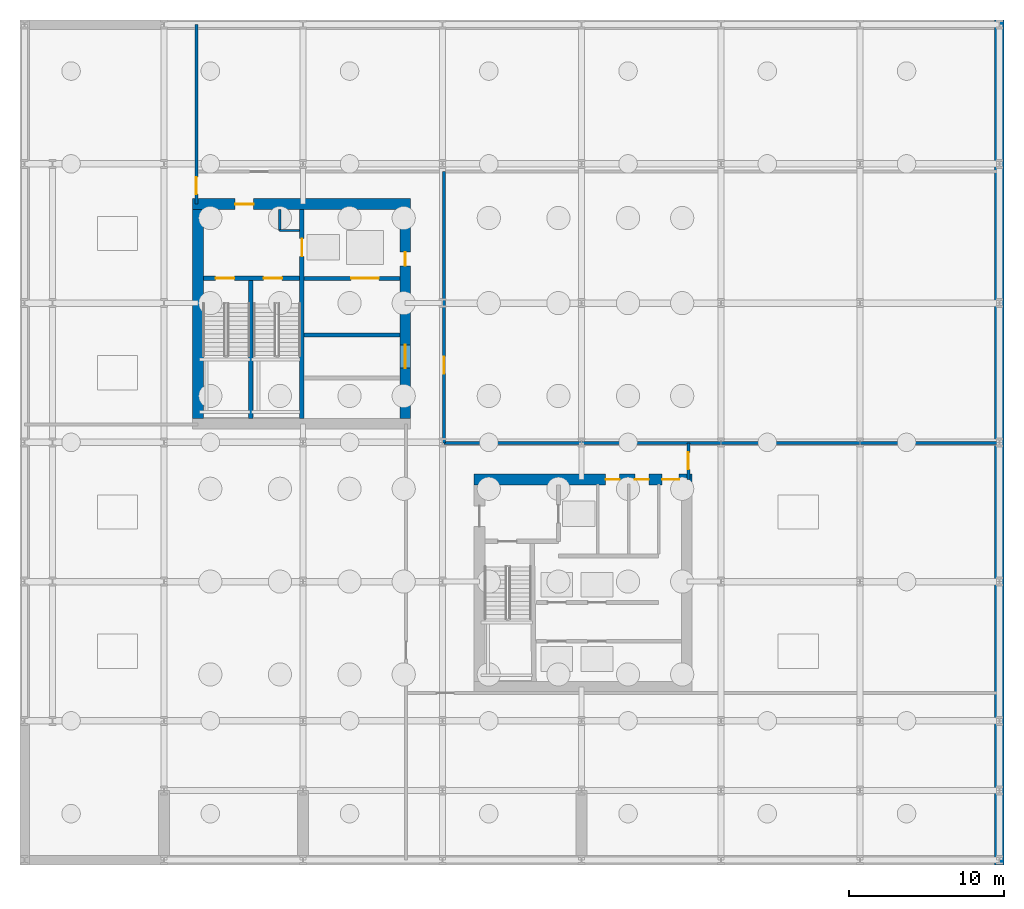
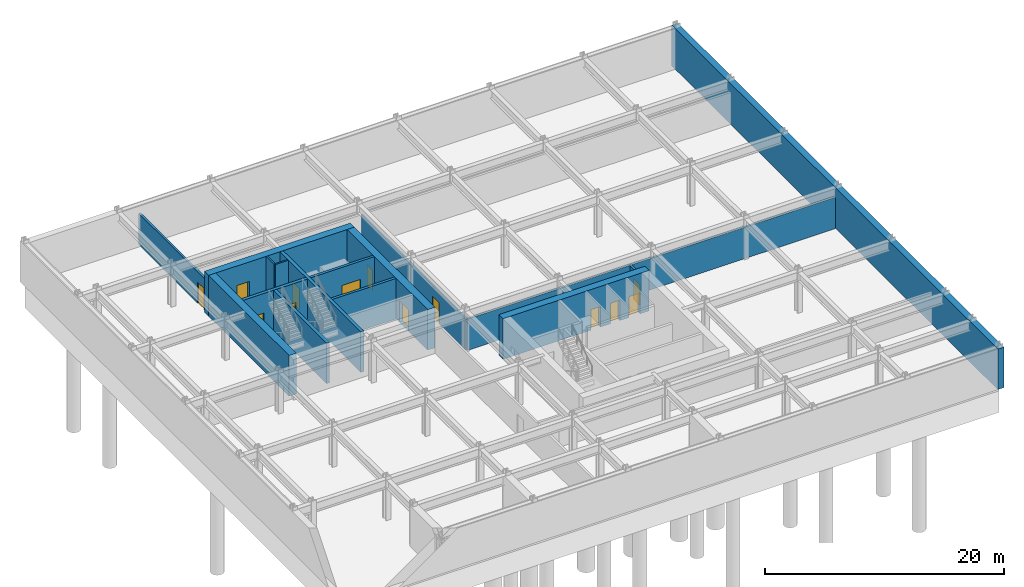
# One storey, part 4 of 7: 16 walls, 13 doors, 13 openings.
"""IFC4 building model written with IfcOpenShell, lengths in metres."""

from ifc_helpers import new_model, si_unit, direction, frame, frame_2d, origin, place, context, subcontext, project, spatial, rectangle, extrude, material, layer, layer_set, type_object, element, fill, save


model = new_model("IFC4")

# Units and contexts
model_context = context("Model", 3, precision=1e-05, world=origin(), true_north=direction((0.0, 1.0)))
body_context = subcontext(model_context, "Body", "Model", "MODEL_VIEW")
ifc_project = project(units=[si_unit("LENGTHUNIT", "METRE"), si_unit("AREAUNIT", "SQUARE_METRE"), si_unit("VOLUMEUNIT", "CUBIC_METRE"), si_unit("PLANEANGLEUNIT", "RADIAN"), si_unit("MASSUNIT", "GRAM", prefix="KILO")], contexts=[model_context])

# Site, building, storey
site_placement = place(None, origin())
site = spatial("IfcSite", under=ifc_project, at=site_placement, CompositionType="ELEMENT")
building_placement = place(site_placement, origin())
building = spatial("IfcBuilding", under=site, at=building_placement, Name="Solvaryn Broadcast Tower", CompositionType="ELEMENT")
storey_placement = place(building_placement, frame((0.0, 0.0, -9.0)))
storey = spatial("IfcBuildingStorey", under=building, at=storey_placement, Name="B02", CompositionType="ELEMENT", Elevation=-9.0)

# Wall, opening, door
ifc_material_1 = material(Name="Concrete f'c 70 MPa", Category="concrete")
ifc_layer_1 = layer(ifc_material_1, 0.699951171875)
ifc_layer_set_1 = layer_set([ifc_layer_1], Name="CW-SHEAR-700")
wall_type_1 = type_object("IfcWallType", Name="CW-SHEAR-700", PredefinedType="SHEAR", material=ifc_layer_set_1)
wall_1_placement = place(storey_placement, frame((24.949951171875, 42.39990234375, 0.0), z_axis=(0.0, 0.0, 1.0), x_axis=(-1.0, 0.0, 0.0)))
wall_1 = element("IfcWall", 1, at=wall_1_placement, inside=storey, type_object=wall_type_1, Name="B02 West Core North Shear Wall", PredefinedType="SHEAR", context=body_context, shape_type="SweptSolid", body=[
    extrude(rectangle(XDim=14.099853515625, YDim=0.699951171875, at=frame_2d((7.0498046875, 0.0))), origin(), (0.0, 0.0, 1.0), 4.14990234375),
])
opening_1_placement = place(wall_1_placement, frame((10.14990234375, 0.0, 0.0)))
opening_1 = element("IfcOpeningElement", 2, at=opening_1_placement, cuts=wall_1, Name="Opening FD90A", PredefinedType="OPENING", context=body_context, shape_type="SweptSolid", body=[
    extrude(rectangle(XDim=1.199951171875, YDim=2.14990234375, at=frame_2d((0.60009765625, 1.074951171875))), frame((0.0, 0.360107421875, 0.0), z_axis=(0.0, -1.0, 0.0), x_axis=(1.0, 0.0, 0.0)), (0.0, 0.0, 1.0), 0.719970703125),
])
ifc_material_2 = material(Name="Flush Acoustic Steel and Timber Door Assembly", Category="steel")
door_type_1 = type_object("IfcDoorType", Name="FD90-STAIR-1200X2150", OperationType="NOTDEFINED", PredefinedType="DOOR", material=ifc_material_2)
door_1_placement = place(opening_1_placement, origin())
door_1 = element("IfcDoor", 3, at=door_1_placement, inside=storey, type_object=door_type_1, Name="B02 West FSAE Lobby Corridor Door", OperationType="SINGLE_SWING_LEFT", OverallHeight=2.14990234375, OverallWidth=1.199951171875, PredefinedType="DOOR", context=body_context, shape_type="SweptSolid", body=[
    extrude(rectangle(XDim=1.199951171875, YDim=2.14990234375, at=frame_2d((0.60009765625, 1.074951171875))), frame((0.0, 0.02490234375, 0.0), z_axis=(0.0, -1.0, 0.0), x_axis=(1.0, 0.0, 0.0)), (0.0, 0.0, 1.0), 0.050048828125),
])
fill(opening_1, door_1)

# Wall
wall_2_placement = place(storey_placement, frame((11.199951171875, 42.050048828125, 0.0), z_axis=(0.0, 0.0, 1.0), x_axis=(0.0, -1.0, 0.0)))
element("IfcWall", 4, at=wall_2_placement, inside=storey, type_object=wall_type_1, Name="B02 West Core West Shear Wall", PredefinedType="SHEAR", context=body_context, shape_type="SweptSolid", body=[
    extrude(rectangle(XDim=13.5, YDim=0.699951171875, at=frame_2d((6.75, 0.0))), origin(), (0.0, 0.0, 1.0), 4.14990234375),
])

# Wall, openings, doors
wall_3_placement = place(storey_placement, frame((24.60009765625, 28.550048828125, 0.0), z_axis=(0.0, 0.0, 1.0), x_axis=(0.0, 1.0, 0.0)))
wall_3 = element("IfcWall", 5, at=wall_3_placement, inside=storey, type_object=wall_type_1, Name="B02 West Core East Shear Wall", PredefinedType="SHEAR", context=body_context, shape_type="SweptSolid", body=[
    extrude(rectangle(XDim=13.5, YDim=0.699951171875, at=frame_2d((6.75, 0.0))), origin(), (0.0, 0.0, 1.0), 4.14990234375),
])
opening_2_placement = place(wall_3_placement, frame((3.25, 0.0, 0.0)))
opening_2 = element("IfcOpeningElement", 6, at=opening_2_placement, cuts=wall_3, Name="Opening FD60A", PredefinedType="OPENING", context=body_context, shape_type="SweptSolid", body=[
    extrude(rectangle(XDim=1.5, YDim=2.199951171875, at=frame_2d((0.75, 1.10009765625))), frame((0.0, 0.360107421875, 0.0), z_axis=(0.0, -1.0, 0.0), x_axis=(1.0, 0.0, 0.0)), (0.0, 0.0, 1.0), 0.719970703125),
])
opening_3_placement = place(wall_3_placement, frame((9.85009765625, 0.0, 0.0)))
opening_3 = element("IfcOpeningElement", 7, at=opening_3_placement, cuts=wall_3, Name="Opening FD60C", PredefinedType="OPENING", context=body_context, shape_type="SweptSolid", body=[
    extrude(rectangle(XDim=0.89990234375, YDim=2.10009765625, at=frame_2d((0.449951171875, 1.050048828125))), frame((0.0, 0.360107421875, 0.0), z_axis=(0.0, -1.0, 0.0), x_axis=(1.0, 0.0, 0.0)), (0.0, 0.0, 1.0), 0.719970703125),
])
ifc_material_3 = material(Name="Flush Acoustic Steel and Timber Door Assembly", Category="steel")
door_type_2 = type_object("IfcDoorType", Name="FD60-CORR-1500X2200", OperationType="NOTDEFINED", PredefinedType="DOOR", material=ifc_material_3)
door_2_placement = place(opening_2_placement, origin())
door_2 = element("IfcDoor", 8, at=door_2_placement, inside=storey, type_object=door_type_2, Name="B02 West Elevator Lobby Corridor Door", OperationType="DOUBLE_DOOR_SINGLE_SWING", OverallHeight=2.199951171875, OverallWidth=1.5, PredefinedType="DOOR", context=body_context, shape_type="SweptSolid", body=[
    extrude(rectangle(XDim=1.5, YDim=2.199951171875, at=frame_2d((0.75, 1.10009765625))), frame((0.0, 0.02490234375, 0.0), z_axis=(0.0, -1.0, 0.0), x_axis=(1.0, 0.0, 0.0)), (0.0, 0.0, 1.0), 0.050048828125),
])
fill(opening_2, door_2)
ifc_material_4 = material(Name="Flush Acoustic Steel and Timber Door Assembly", Category="steel")
door_type_3 = type_object("IfcDoorType", Name="FD60-SERV-900X2100", OperationType="NOTDEFINED", PredefinedType="DOOR", material=ifc_material_4)
door_3_placement = place(opening_3_placement, origin())
door_3 = element("IfcDoor", 9, at=door_3_placement, inside=storey, type_object=door_type_3, Name="B02 West Core Service Door 1", OperationType="SINGLE_SWING_LEFT", OverallHeight=2.10009765625, OverallWidth=0.89990234375, PredefinedType="DOOR", context=body_context, shape_type="SweptSolid", body=[
    extrude(rectangle(XDim=0.89990234375, YDim=2.10009765625, at=frame_2d((0.449951171875, 1.050048828125))), frame((0.0, 0.02490234375, 0.0), z_axis=(0.0, -1.0, 0.0), x_axis=(1.0, 0.0, 0.0)), (0.0, 0.0, 1.0), 0.050048828125),
])
fill(opening_3, door_3)

wall_4_placement = place(storey_placement, frame((43.14990234375, 24.60009765625, 0.0), z_axis=(0.0, 0.0, 1.0), x_axis=(-1.0, 0.0, 0.0)))
wall_4 = element("IfcWall", 10, at=wall_4_placement, inside=storey, type_object=wall_type_1, Name="B02 East Core North Shear Wall", PredefinedType="SHEAR", context=body_context, shape_type="SweptSolid", body=[
    extrude(rectangle(XDim=14.099853515625, YDim=0.699951171875, at=frame_2d((7.0498046875, 0.0))), origin(), (0.0, 0.0, 1.0), 4.14990234375),
])
opening_4_placement = place(wall_4_placement, frame((0.85009765625, 0.0, 0.0)))
opening_4 = element("IfcOpeningElement", 11, at=opening_4_placement, cuts=wall_4, Name="Opening FD90C", PredefinedType="OPENING", context=body_context, shape_type="SweptSolid", body=[
    extrude(rectangle(XDim=1.10009765625, YDim=2.14990234375, at=frame_2d((0.550048828125, 1.074951171875))), frame((0.0, 0.360107421875, 0.0), z_axis=(0.0, -1.0, 0.0), x_axis=(1.0, 0.0, 0.0)), (0.0, 0.0, 1.0), 0.719970703125),
])
opening_5_placement = place(wall_4_placement, frame((2.800048828125, 0.0, 0.0)))
opening_5 = element("IfcOpeningElement", 12, at=opening_5_placement, cuts=wall_4, Name="Opening FD60C", PredefinedType="OPENING", context=body_context, shape_type="SweptSolid", body=[
    extrude(rectangle(XDim=0.89990234375, YDim=2.10009765625, at=frame_2d((0.449951171875, 1.050048828125))), frame((0.0, 0.360107421875, 0.0), z_axis=(0.0, -1.0, 0.0), x_axis=(1.0, 0.0, 0.0)), (0.0, 0.0, 1.0), 0.719970703125),
])
opening_6_placement = place(wall_4_placement, frame((4.699951171875, 0.0, 0.0)))
opening_6 = element("IfcOpeningElement", 13, at=opening_6_placement, cuts=wall_4, Name="Opening FD60C", PredefinedType="OPENING", context=body_context, shape_type="SweptSolid", body=[
    extrude(rectangle(XDim=0.89990234375, YDim=2.10009765625, at=frame_2d((0.449951171875, 1.050048828125))), frame((0.0, 0.360107421875, 0.0), z_axis=(0.0, -1.0, 0.0), x_axis=(1.0, 0.0, 0.0)), (0.0, 0.0, 1.0), 0.719970703125),
])
door_4_placement = place(opening_5_placement, origin())
door_4 = element("IfcDoor", 14, at=door_4_placement, inside=storey, type_object=door_type_3, Name="B02 Staff Restroom Door", OperationType="SINGLE_SWING_LEFT", OverallHeight=2.10009765625, OverallWidth=0.89990234375, PredefinedType="DOOR", context=body_context, shape_type="SweptSolid", body=[
    extrude(rectangle(XDim=0.89990234375, YDim=2.10009765625, at=frame_2d((0.449951171875, 1.050048828125))), frame((0.0, 0.02490234375, 0.0), z_axis=(0.0, -1.0, 0.0), x_axis=(1.0, 0.0, 0.0)), (0.0, 0.0, 1.0), 0.050048828125),
])
fill(opening_5, door_4)
door_5_placement = place(opening_6_placement, origin())
door_5 = element("IfcDoor", 15, at=door_5_placement, inside=storey, type_object=door_type_3, Name="B02 Accessible WC Door", OperationType="SINGLE_SWING_RIGHT", OverallHeight=2.10009765625, OverallWidth=0.89990234375, PredefinedType="DOOR", context=body_context, shape_type="SweptSolid", body=[
    extrude(rectangle(XDim=0.89990234375, YDim=2.10009765625, at=frame_2d((0.449951171875, 1.050048828125))), frame((0.0, 0.02490234375, 0.0), z_axis=(0.0, -1.0, 0.0), x_axis=(1.0, 0.0, 0.0)), (0.0, 0.0, 1.0), 0.050048828125),
])
fill(opening_6, door_5)
ifc_material_5 = material(Name="Flush Acoustic Steel and Timber Door Assembly", Category="steel")
door_type_4 = type_object("IfcDoorType", Name="FD90-PLANT-1100X2150", OperationType="NOTDEFINED", PredefinedType="DOOR", material=ifc_material_5)
door_6_placement = place(opening_4_placement, origin())
door_6 = element("IfcDoor", 16, at=door_6_placement, inside=storey, type_object=door_type_4, Name="B02 East Core Lobby Corridor Door", OperationType="SINGLE_SWING_LEFT", OverallHeight=2.14990234375, OverallWidth=1.10009765625, PredefinedType="DOOR", context=body_context, shape_type="SweptSolid", body=[
    extrude(rectangle(XDim=1.10009765625, YDim=2.14990234375, at=frame_2d((0.550048828125, 1.074951171875))), frame((0.0, 0.02490234375, 0.0), z_axis=(0.0, -1.0, 0.0), x_axis=(1.0, 0.0, 0.0)), (0.0, 0.0, 1.0), 0.050048828125),
])
fill(opening_4, door_6)

# Walls
ifc_material_6 = material(Name="Concrete f'c 60 MPa", Category="concrete")
ifc_layer_2 = layer(ifc_material_6, 0.60009765625)
ifc_layer_set_2 = layer_set([ifc_layer_2], Name="EW-BSMT-600")
wall_type_2 = type_object("IfcWallType", Name="EW-BSMT-600", PredefinedType="SOLIDWALL", material=ifc_layer_set_2)
wall_5_placement = place(storey_placement, frame((63.0, 54.300048828125, 0.0), z_axis=(0.0, 0.0, 1.0), x_axis=(0.0, -1.0, 0.0)))
element("IfcWall", 17, at=wall_5_placement, inside=storey, type_object=wall_type_2, Name="B02 Perimeter Retaining Wall E", PredefinedType="SOLIDWALL", context=body_context, shape_type="SweptSolid", body=[
    extrude(rectangle(XDim=54.60009765625, YDim=0.60009765625, at=frame_2d((27.300048828125, 0.0))), origin(), (0.0, 0.0, 1.0), 4.14990234375),
])
ifc_material_7 = material(Name="Metal-Stud Service Core Partition")
ifc_layer_3 = layer(ifc_material_7, 0.14990234375)
ifc_layer_set_3 = layer_set([ifc_layer_3], Name="IW-PART-150")
wall_type_3 = type_object("IfcWallType", Name="IW-PART-150", PredefinedType="PARTITIONING", material=ifc_layer_set_3)
wall_6_placement = place(storey_placement, frame((16.47998046875, 40.699951171875, 0.0), z_axis=(0.0, 0.0, 1.0), x_axis=(1.0, 0.0, 0.0)))
element("IfcWall", 18, at=wall_6_placement, inside=storey, type_object=wall_type_3, Name="B02 West Core Riser Shaft South Wall", PredefinedType="PARTITIONING", context=body_context, shape_type="SweptSolid", body=[
    extrude(rectangle(XDim=1.2900390625, YDim=0.14990234375, at=frame_2d((0.64501953125, 0.0))), origin(), (0.0, 0.0, 1.0), 4.14990234375),
])
wall_7_placement = place(storey_placement, frame((16.47998046875, 40.699951171875, 0.0), z_axis=(0.0, 0.0, 1.0), x_axis=(0.0, 1.0, 0.0)))
element("IfcWall", 19, at=wall_7_placement, inside=storey, type_object=wall_type_3, Name="B02 West Core Riser Shaft West Wall", PredefinedType="PARTITIONING", context=body_context, shape_type="SweptSolid", body=[
    extrude(rectangle(XDim=1.35009765625, YDim=0.14990234375, at=frame_2d((0.675048828125, 0.0))), origin(), (0.0, 0.0, 1.0), 4.14990234375),
])

# Wall, opening, door
ifc_material_8 = material(Name="Gypsum Fire-Rated Shaftwall Assembly", Category="concrete")
ifc_layer_4 = layer(ifc_material_8, 0.199951171875)
ifc_layer_set_4 = layer_set([ifc_layer_4], Name="IW-RATED-200")
wall_type_4 = type_object("IfcWallType", Name="IW-RATED-200", PredefinedType="PARTITIONING", material=ifc_layer_set_4)
wall_8_placement = place(storey_placement, frame((11.10009765625, 42.39990234375, 0.0), z_axis=(0.0, 0.0, 1.0), x_axis=(0.0, 1.0, 0.0)))
wall_8 = element("IfcWall", 20, at=wall_8_placement, inside=storey, type_object=wall_type_4, Name="B02 Interior Partition IW-B02-BW3", PredefinedType="PARTITIONING", context=body_context, shape_type="SweptSolid", body=[
    extrude(rectangle(XDim=11.60009765625, YDim=0.199951171875, at=frame_2d((5.800048828125, 0.0))), origin(), (0.0, 0.0, 1.0), 3.202880859375),
])
opening_7_placement = place(wall_8_placement, frame((0.64990234375, 0.0, 0.0)))
opening_7 = element("IfcOpeningElement", 21, at=opening_7_placement, cuts=wall_8, Name="Opening FD90C", PredefinedType="OPENING", context=body_context, shape_type="SweptSolid", body=[
    extrude(rectangle(XDim=1.10009765625, YDim=2.14990234375, at=frame_2d((0.550048828125, 1.074951171875))), frame((0.0, 0.110107421875, 0.0), z_axis=(0.0, -1.0, 0.0), x_axis=(1.0, 0.0, 0.0)), (0.0, 0.0, 1.0), 0.219970703125),
])
door_7_placement = place(opening_7_placement, origin())
door_7 = element("IfcDoor", 22, at=door_7_placement, inside=storey, type_object=door_type_4, Name="B02 Door DR-B02-BD4", OperationType="SINGLE_SWING_LEFT", OverallHeight=2.14990234375, OverallWidth=1.10009765625, PredefinedType="DOOR", context=body_context, shape_type="SweptSolid", body=[
    extrude(rectangle(XDim=1.10009765625, YDim=2.14990234375, at=frame_2d((0.550048828125, 1.074951171875))), frame((0.0, 0.02490234375, 0.0), z_axis=(0.0, -1.0, 0.0), x_axis=(1.0, 0.0, 0.0)), (0.0, 0.0, 1.0), 0.050048828125),
])
fill(opening_7, door_7)

wall_9_placement = place(storey_placement, frame((27.10009765625, 26.949951171875, 0.0), z_axis=(0.0, 0.0, 1.0), x_axis=(0.0, 1.0, 0.0)))
wall_9 = element("IfcWall", 23, at=wall_9_placement, inside=storey, type_object=wall_type_4, Name="B02 Interior Partition IW-B02-BW5", PredefinedType="PARTITIONING", context=body_context, shape_type="SweptSolid", body=[
    extrude(rectangle(XDim=17.550048828125, YDim=0.199951171875, at=frame_2d((8.77490234375, 0.0))), origin(), (0.0, 0.0, 1.0), 3.202880859375),
])
opening_8_placement = place(wall_9_placement, frame((4.5, 0.0, 0.0)))
opening_8 = element("IfcOpeningElement", 24, at=opening_8_placement, cuts=wall_9, Name="Opening FD90C", PredefinedType="OPENING", context=body_context, shape_type="SweptSolid", body=[
    extrude(rectangle(XDim=1.10009765625, YDim=2.14990234375, at=frame_2d((0.550048828125, 1.074951171875))), frame((0.0, 0.110107421875, 0.0), z_axis=(0.0, -1.0, 0.0), x_axis=(1.0, 0.0, 0.0)), (0.0, 0.0, 1.0), 0.219970703125),
])
door_8_placement = place(opening_8_placement, origin())
door_8 = element("IfcDoor", 25, at=door_8_placement, inside=storey, type_object=door_type_4, Name="B02 Door DR-B02-BD6", OperationType="SINGLE_SWING_LEFT", OverallHeight=2.14990234375, OverallWidth=1.10009765625, PredefinedType="DOOR", context=body_context, shape_type="SweptSolid", body=[
    extrude(rectangle(XDim=1.10009765625, YDim=2.14990234375, at=frame_2d((0.550048828125, 1.074951171875))), frame((0.0, 0.02490234375, 0.0), z_axis=(0.0, -1.0, 0.0), x_axis=(1.0, 0.0, 0.0)), (0.0, 0.0, 1.0), 0.050048828125),
])
fill(opening_8, door_8)

# Wall
wall_10_placement = place(storey_placement, frame((27.10009765625, 26.949951171875, 0.0), z_axis=(0.0, 0.0, 1.0), x_axis=(1.0, 0.0, 0.0)))
element("IfcWall", 26, at=wall_10_placement, inside=storey, type_object=wall_type_4, Name="B02 Interior Partition IW-B02-BW6", PredefinedType="PARTITIONING", context=body_context, shape_type="SweptSolid", body=[
    extrude(rectangle(XDim=35.89990234375, YDim=0.199951171875, at=frame_2d((17.949951171875, 0.0))), origin(), (0.0, 0.0, 1.0), 3.202880859375),
])

# Wall, opening, door
wall_11_placement = place(storey_placement, frame((42.89990234375, 24.60009765625, 0.0), z_axis=(0.0, 0.0, 1.0), x_axis=(0.0, 1.0, 0.0)))
wall_11 = element("IfcWall", 27, at=wall_11_placement, inside=storey, type_object=wall_type_4, Name="B02 Interior Partition IW-B02-BW7", PredefinedType="PARTITIONING", context=body_context, shape_type="SweptSolid", body=[
    extrude(rectangle(XDim=2.349853515625, YDim=0.199951171875, at=frame_2d((1.1748046875, 0.0))), origin(), (0.0, 0.0, 1.0), 3.202880859375),
])
opening_9_placement = place(wall_11_placement, frame((0.64990234375, 0.0, 0.0)))
opening_9 = element("IfcOpeningElement", 28, at=opening_9_placement, cuts=wall_11, Name="Opening FD90C", PredefinedType="OPENING", context=body_context, shape_type="SweptSolid", body=[
    extrude(rectangle(XDim=1.10009765625, YDim=2.14990234375, at=frame_2d((0.550048828125, 1.074951171875))), frame((0.0, 0.110107421875, 0.0), z_axis=(0.0, -1.0, 0.0), x_axis=(1.0, 0.0, 0.0)), (0.0, 0.0, 1.0), 0.219970703125),
])
door_9_placement = place(opening_9_placement, origin())
door_9 = element("IfcDoor", 29, at=door_9_placement, inside=storey, type_object=door_type_4, Name="B02 Door DR-B02-BD3", OperationType="SINGLE_SWING_RIGHT", OverallHeight=2.14990234375, OverallWidth=1.10009765625, PredefinedType="DOOR", context=body_context, shape_type="SweptSolid", body=[
    extrude(rectangle(XDim=1.10009765625, YDim=2.14990234375, at=frame_2d((0.550048828125, 1.074951171875))), frame((0.0, 0.02490234375, 0.0), z_axis=(0.0, -1.0, 0.0), x_axis=(1.0, 0.0, 0.0)), (0.0, 0.0, 1.0), 0.050048828125),
])
fill(opening_9, door_9)

ifc_material_9 = material(Name="Concrete f'c 60 MPa", Category="concrete")
ifc_layer_5 = layer(ifc_material_9, 0.25)
ifc_layer_set_5 = layer_set([ifc_layer_5], Name="SW-SHAFT-250")
wall_type_5 = type_object("IfcWallType", Name="SW-SHAFT-250", PredefinedType="PARTITIONING", material=ifc_layer_set_5)
wall_12_placement = place(storey_placement, frame((18.070068359375, 37.60009765625, 0.0), z_axis=(0.0, 0.0, 1.0), x_axis=(1.0, 0.0, 0.0)))
wall_12 = element("IfcWall", 30, at=wall_12_placement, inside=storey, type_object=wall_type_5, Name="B02 West Core FSAE Hoistway Front Wall", PredefinedType="PARTITIONING", context=body_context, shape_type="SweptSolid", body=[
    extrude(rectangle(XDim=6.179931640625, YDim=0.25, at=frame_2d((3.08984375, 0.0))), origin(), (0.0, 0.0, 1.0), 4.14990234375),
])
opening_10_placement = place(wall_12_placement, frame((3.030029296875, 0.0, 0.0)))
opening_10 = element("IfcOpeningElement", 31, at=opening_10_placement, cuts=wall_12, Name="Opening LD02", PredefinedType="OPENING", context=body_context, shape_type="SweptSolid", body=[
    extrude(rectangle(XDim=1.800048828125, YDim=2.300048828125, at=frame_2d((0.89990234375, 1.14990234375))), frame((0.0, 0.135009765625, 0.0), z_axis=(0.0, -1.0, 0.0), x_axis=(1.0, 0.0, 0.0)), (0.0, 0.0, 1.0), 0.27001953125),
])
ifc_material_10 = material(Name="Flush Acoustic Steel and Timber Door Assembly", Category="steel")
door_type_5 = type_object("IfcDoorType", Name="LD-FREIGHT-1800X2300", OperationType="NOTDEFINED", PredefinedType="DOOR", material=ifc_material_10)
door_10_placement = place(opening_10_placement, origin())
door_10 = element("IfcDoor", 32, at=door_10_placement, inside=storey, type_object=door_type_5, Name="B02 SV1 Freight Lift Landing Door", OperationType="DOUBLE_DOOR_SLIDING", OverallHeight=2.300048828125, OverallWidth=1.800048828125, PredefinedType="DOOR", context=body_context, shape_type="SweptSolid", body=[
    extrude(rectangle(XDim=1.800048828125, YDim=2.300048828125, at=frame_2d((0.89990234375, 1.14990234375))), frame((0.0, 0.02490234375, 0.0), z_axis=(0.0, -1.0, 0.0), x_axis=(1.0, 0.0, 0.0)), (0.0, 0.0, 1.0), 0.050048828125),
])
fill(opening_10, door_10)

# Walls
wall_13_placement = place(storey_placement, frame((24.25, 33.949951171875, 0.0), z_axis=(0.0, 0.0, 1.0), x_axis=(-1.0, 0.0, 0.0)))
element("IfcWall", 33, at=wall_13_placement, inside=storey, type_object=wall_type_5, Name="B02 High-Rise Lift Bank North Wall", PredefinedType="PARTITIONING", context=body_context, shape_type="SweptSolid", body=[
    extrude(rectangle(XDim=6.179931640625, YDim=0.25, at=frame_2d((3.08984375, 0.0))), origin(), (0.0, 0.0, 1.0), 4.14990234375),
])
ifc_material_11 = material(Name="Concrete f'c 70 MPa", Category="concrete")
ifc_layer_6 = layer(ifc_material_11, 0.300048828125)
ifc_layer_set_6 = layer_set([ifc_layer_6], Name="SW-SHAFT-300")
wall_type_6 = type_object("IfcWallType", Name="SW-SHAFT-300", PredefinedType="SHEAR", material=ifc_layer_set_6)
wall_14_placement = place(storey_placement, frame((14.6201171875, 28.550048828125, 0.0), z_axis=(0.0, 0.0, 1.0), x_axis=(0.0, 1.0, 0.0)))
element("IfcWall", 34, at=wall_14_placement, inside=storey, type_object=wall_type_6, Name="B02 Stair 1-2 Dividing Wall", PredefinedType="SHEAR", context=body_context, shape_type="SweptSolid", body=[
    extrude(rectangle(XDim=8.89990234375, YDim=0.300048828125, at=frame_2d((4.449951171875, 0.0))), origin(), (0.0, 0.0, 1.0), 4.14990234375),
])

# Wall, opening, door
wall_15_placement = place(storey_placement, frame((17.919921875, 42.050048828125, 0.0), z_axis=(0.0, 0.0, 1.0), x_axis=(0.0, -1.0, 0.0)))
wall_15 = element("IfcWall", 35, at=wall_15_placement, inside=storey, type_object=wall_type_6, Name="B02 West Core Stair-Lobby Shear Wall", PredefinedType="SHEAR", context=body_context, shape_type="SweptSolid", body=[
    extrude(rectangle(XDim=13.5, YDim=0.300048828125, at=frame_2d((6.75, 0.0))), origin(), (0.0, 0.0, 1.0), 4.14990234375),
])
opening_11_placement = place(wall_15_placement, frame((1.875, 0.0, 0.0)))
opening_11 = element("IfcOpeningElement", 36, at=opening_11_placement, cuts=wall_15, Name="Opening LD01", PredefinedType="OPENING", context=body_context, shape_type="SweptSolid", body=[
    extrude(rectangle(XDim=1.14990234375, YDim=2.14990234375, at=frame_2d((0.574951171875, 1.074951171875))), frame((0.0, 0.159912109375, 0.0), z_axis=(0.0, -1.0, 0.0), x_axis=(1.0, 0.0, 0.0)), (0.0, 0.0, 1.0), 0.320068359375),
])
ifc_material_12 = material(Name="Flush Acoustic Steel and Timber Door Assembly", Category="steel")
door_type_6 = type_object("IfcDoorType", Name="LD-LIFT-1150X2150", OperationType="NOTDEFINED", PredefinedType="DOOR", material=ifc_material_12)
door_11_placement = place(opening_11_placement, origin())
door_11 = element("IfcDoor", 37, at=door_11_placement, inside=storey, type_object=door_type_6, Name="B02 FL1 Lift Landing Door", OperationType="DOUBLE_DOOR_SLIDING", OverallHeight=2.14990234375, OverallWidth=1.14990234375, PredefinedType="DOOR", context=body_context, shape_type="SweptSolid", body=[
    extrude(rectangle(XDim=1.14990234375, YDim=2.14990234375, at=frame_2d((0.574951171875, 1.074951171875))), frame((0.0, 0.02490234375, 0.0), z_axis=(0.0, -1.0, 0.0), x_axis=(1.0, 0.0, 0.0)), (0.0, 0.0, 1.0), 0.050048828125),
])
fill(opening_11, door_11)

# Wall, openings, doors
wall_16_placement = place(storey_placement, frame((17.77001953125, 37.60009765625, 0.0), z_axis=(0.0, 0.0, 1.0), x_axis=(-1.0, 0.0, 0.0)))
wall_16 = element("IfcWall", 38, at=wall_16_placement, inside=storey, type_object=wall_type_6, Name="B02 West Core FSAE Lobby South Wall", PredefinedType="SHEAR", context=body_context, shape_type="SweptSolid", body=[
    extrude(rectangle(XDim=6.219970703125, YDim=0.300048828125, at=frame_2d((3.10986328125, 0.0))), origin(), (0.0, 0.0, 1.0), 4.14990234375),
])
opening_12_placement = place(wall_16_placement, frame((4.219970703125, 0.0, 0.0)))
opening_12 = element("IfcOpeningElement", 39, at=opening_12_placement, cuts=wall_16, Name="Opening FD90A", PredefinedType="OPENING", context=body_context, shape_type="SweptSolid", body=[
    extrude(rectangle(XDim=1.199951171875, YDim=2.14990234375, at=frame_2d((0.60009765625, 1.074951171875))), frame((0.0, 0.159912109375, 0.0), z_axis=(0.0, -1.0, 0.0), x_axis=(1.0, 0.0, 0.0)), (0.0, 0.0, 1.0), 0.320068359375),
])
opening_13_placement = place(wall_16_placement, frame((1.1201171875, 0.0, 0.0)))
opening_13 = element("IfcOpeningElement", 40, at=opening_13_placement, cuts=wall_16, Name="Opening FD90A", PredefinedType="OPENING", context=body_context, shape_type="SweptSolid", body=[
    extrude(rectangle(XDim=1.199951171875, YDim=2.14990234375, at=frame_2d((0.60009765625, 1.074951171875))), frame((0.0, 0.159912109375, 0.0), z_axis=(0.0, -1.0, 0.0), x_axis=(1.0, 0.0, 0.0)), (0.0, 0.0, 1.0), 0.320068359375),
])
door_12_placement = place(opening_12_placement, origin())
door_12 = element("IfcDoor", 41, at=door_12_placement, inside=storey, type_object=door_type_1, Name="B02 Stair 1 Fire Door", OperationType="SINGLE_SWING_LEFT", OverallHeight=2.14990234375, OverallWidth=1.199951171875, PredefinedType="DOOR", context=body_context, shape_type="SweptSolid", body=[
    extrude(rectangle(XDim=1.199951171875, YDim=2.14990234375, at=frame_2d((0.60009765625, 1.074951171875))), frame((0.0, 0.02490234375, 0.0), z_axis=(0.0, -1.0, 0.0), x_axis=(1.0, 0.0, 0.0)), (0.0, 0.0, 1.0), 0.050048828125),
])
fill(opening_12, door_12)
door_13_placement = place(opening_13_placement, origin())
door_13 = element("IfcDoor", 42, at=door_13_placement, inside=storey, type_object=door_type_1, Name="B02 Stair 2 Fire Door", OperationType="SINGLE_SWING_RIGHT", OverallHeight=2.14990234375, OverallWidth=1.199951171875, PredefinedType="DOOR", context=body_context, shape_type="SweptSolid", body=[
    extrude(rectangle(XDim=1.199951171875, YDim=2.14990234375, at=frame_2d((0.60009765625, 1.074951171875))), frame((0.0, 0.02490234375, 0.0), z_axis=(0.0, -1.0, 0.0), x_axis=(1.0, 0.0, 0.0)), (0.0, 0.0, 1.0), 0.050048828125),
])
fill(opening_13, door_13)

save(model, "model.ifc")
